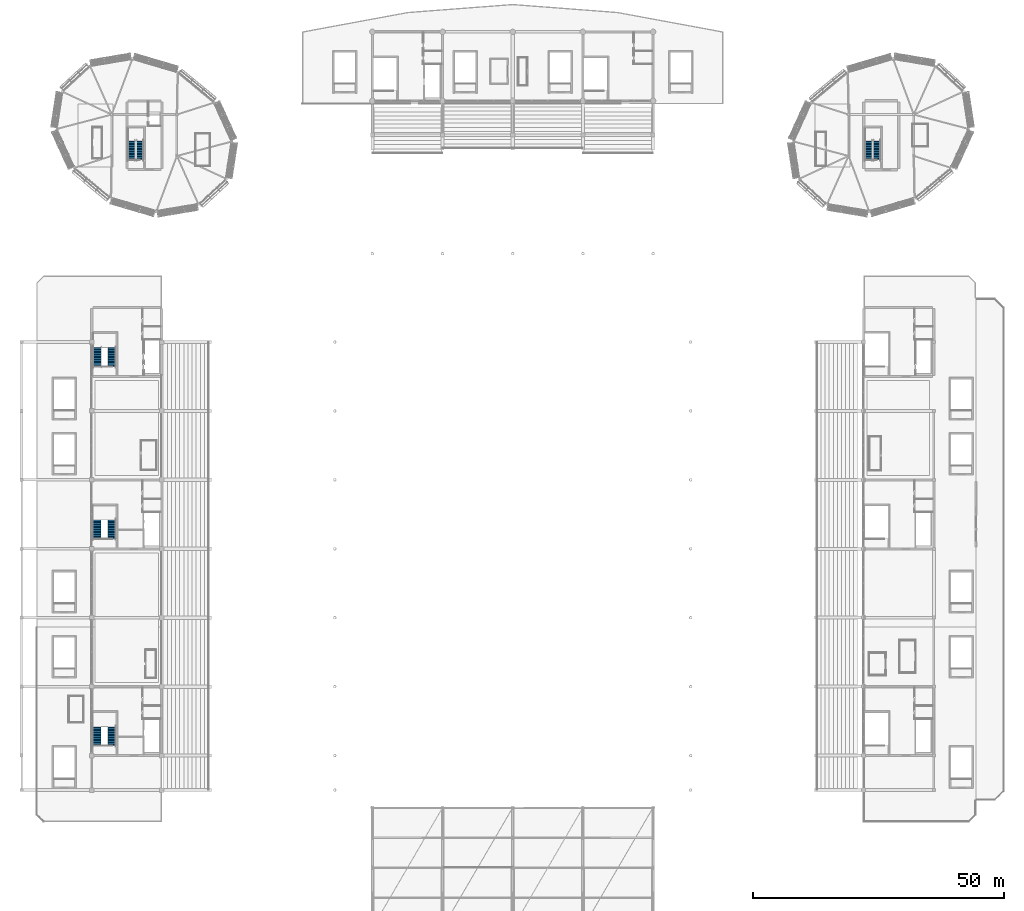
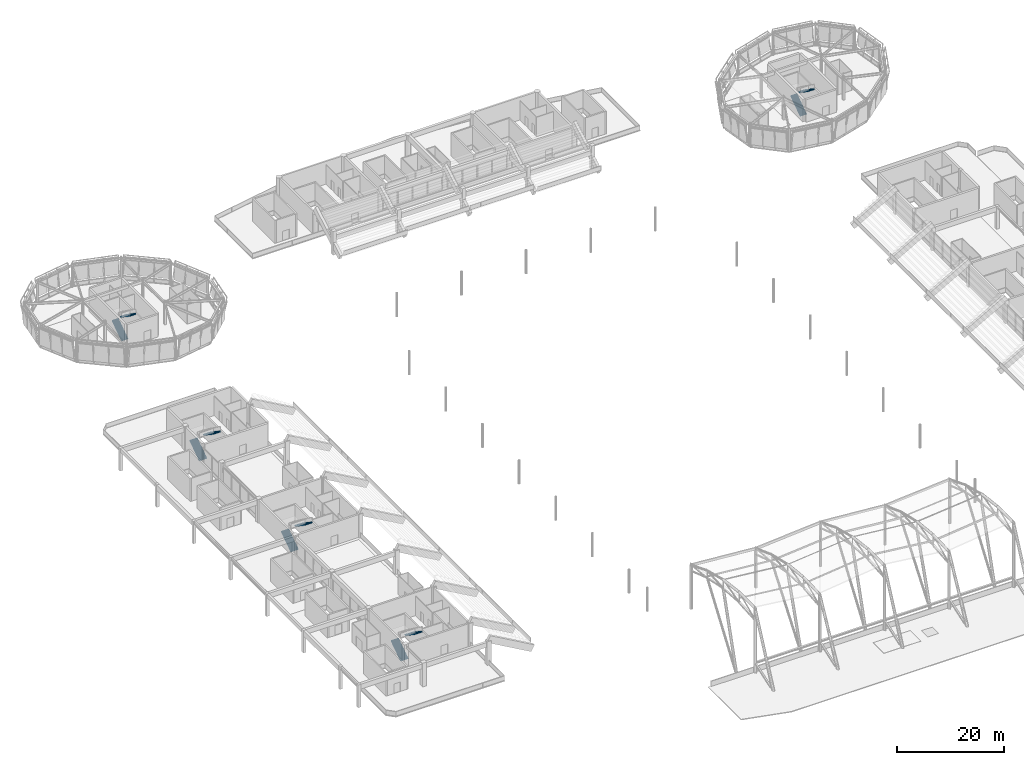
# One storey, part 79 of 90: 10 stair flights, 5 elements without a shape of their own.
"""IFC4 building model written with IfcOpenShell, lengths in metres."""

import ifcopenshell
import ifcopenshell.guid

model = None  # the IFC model being written
_history = None  # IfcOwnerHistory: only IFC2X3 demands one
_inside = {}  # id of a spatial element -> (the spatial element, [elements in it])
_under = {}  # id of a project, library or spatial element -> (it, [spatial elements below it])
_declared = {}  # id of a project -> (the project, [libraries it declares])
_typed = {}  # id of a type object -> (the type object, [elements of that type])
_made_of = {}  # id of a material, layer set ... -> (it, [elements and type objects made of it])


def new_model(schema):
    """Start an empty IFC model of exactly this schema.

    Asked for "IFC4X3", IfcOpenShell would pick the latest addendum, in which some entities
    have other attributes; the version numbers below select the first issue.
    IFC2X3 requires an IfcOwnerHistory on every rooted entity: one is made here for all.
    """
    global model, _history
    if schema == "IFC4X3":
        model = ifcopenshell.file(schema_version=(4, 3, 0, 0))
    else:
        model = ifcopenshell.file(schema=schema)
    _inside.clear()
    _under.clear()
    _declared.clear()
    _typed.clear()
    _made_of.clear()
    _history = None
    if model.schema == "IFC2X3":
        org = make("IfcOrganization", Name="unknown")
        user = make(
            "IfcPersonAndOrganization",
            ThePerson=make("IfcPerson", FamilyName="unknown"),
            TheOrganization=org,
        )
        app = make(
            "IfcApplication",
            ApplicationDeveloper=org,
            Version="unknown",
            ApplicationFullName="unknown",
            ApplicationIdentifier="unknown",
        )
        _history = make(
            "IfcOwnerHistory",
            OwningUser=user,
            OwningApplication=app,
            ChangeAction="ADDED",
            CreationDate=0,
        )
    return model


def make(cls, **values):
    """One entity of the class cls with the attributes given. An attribute that is None is left unset."""
    return model.create_entity(
        cls, **{name: value for name, value in values.items() if value is not None}
    )


def rooted(cls, **values):
    """An entity with a GlobalId (a new one), such as an element, a storey or a relation."""
    return make(cls, GlobalId=ifcopenshell.guid.new(), OwnerHistory=_history, **values)


def si_unit(unit_type, name, prefix=None):
    """IfcSIUnit, for example si_unit("LENGTHUNIT", "METRE", prefix="MILLI")."""
    return make("IfcSIUnit", UnitType=unit_type, Prefix=prefix, Name=name)


def assignment(units):
    """IfcUnitAssignment: the units of a project."""
    return None if units is None else make("IfcUnitAssignment", Units=units)


def point(xyz):
    """IfcCartesianPoint."""
    return None if xyz is None else make("IfcCartesianPoint", Coordinates=xyz)


def direction(xyz):
    """IfcDirection."""
    return None if xyz is None else make("IfcDirection", DirectionRatios=xyz)


def frame(location, z_axis=None, x_axis=None):
    """IfcAxis2Placement3D, a coordinate frame: its origin and axes. An axis left out is left unset."""
    return make(
        "IfcAxis2Placement3D",
        Location=point(location),
        Axis=direction(z_axis),
        RefDirection=direction(x_axis),
    )


def origin():
    """The frame at (0, 0, 0) with its axes left unset."""
    return frame((0.0, 0.0, 0.0))


def place(relative_to, where):
    """IfcLocalPlacement: puts the frame where relative to a parent placement (None: the world)."""
    return make(
        "IfcLocalPlacement", PlacementRelTo=relative_to, RelativePlacement=where
    )


def context(
    kind, dimensions, precision=None, world=None, true_north=None, identifier=None
):
    """IfcGeometricRepresentationContext, for example the 3D "Model" context."""
    return make(
        "IfcGeometricRepresentationContext",
        ContextIdentifier=identifier,
        ContextType=kind,
        CoordinateSpaceDimension=dimensions,
        Precision=precision,
        WorldCoordinateSystem=world,
        TrueNorth=true_north,
    )


def subcontext(parent, identifier, kind, view, scale=None):
    """IfcGeometricRepresentationSubContext, for example "Body" below "Model"."""
    return make(
        "IfcGeometricRepresentationSubContext",
        ContextIdentifier=identifier,
        ContextType=kind,
        ParentContext=parent,
        TargetScale=scale,
        TargetView=view,
    )


def project(units=None, contexts=None):
    """IfcProject with its units and contexts."""
    return rooted(
        "IfcProject",
        Name="project",
        RepresentationContexts=contexts,
        UnitsInContext=assignment(units),
    )


def spatial(cls, under=None, at=None, **own):
    """A site, building, storey or space (cls), placed at a placement, below another one or the project."""
    s = rooted(cls, ObjectPlacement=at, **own)
    if under is not None:
        _under.setdefault(under.id(), (under, []))[1].append(s)
    return s


def polyline(points):
    """IfcPolyline through the points."""
    return make("IfcPolyline", Points=[point(p) for p in points])


def outline(outer, holes=None, kind="AREA"):
    """IfcArbitraryClosedProfileDef: a profile drawn as a closed curve; with holes, ...WithVoids."""
    if holes is None:
        return make("IfcArbitraryClosedProfileDef", ProfileType=kind, OuterCurve=outer)
    return make(
        "IfcArbitraryProfileDefWithVoids",
        ProfileType=kind,
        OuterCurve=outer,
        InnerCurves=holes,
    )


def extrude(swept, where, along, depth):
    """IfcExtrudedAreaSolid: the profile swept, set in the frame where, extruded along a direction by depth."""
    return make(
        "IfcExtrudedAreaSolid",
        SweptArea=swept,
        Position=where,
        ExtrudedDirection=direction(along),
        Depth=depth,
    )


def shape(context_of_items, identifier, shape_type, items):
    """IfcShapeRepresentation: the items that make up one representation, for example the "Body"."""
    return make(
        "IfcShapeRepresentation",
        ContextOfItems=context_of_items,
        RepresentationIdentifier=identifier,
        RepresentationType=shape_type,
        Items=items,
    )


def material(Name=None, Category=None):
    """IfcMaterial."""
    return make("IfcMaterial", Name=Name, Category=Category)


def made_of(thing, what):
    """Note that an element or type object is made of a material, layer set ...; save() writes the relation."""
    if what is not None:
        _made_of.setdefault(what.id(), (what, []))[1].append(thing)
    return thing


def type_object(cls, material=None, **own):
    """A type object (cls), such as IfcWallType, which elements share."""
    return made_of(rooted(cls, **own), material)


def element(
    cls,
    number,
    at=None,
    inside=None,
    cuts=None,
    type_object=None,
    material=None,
    context=None,
    identifier="Body",
    shape_type=None,
    held_by="IfcProductDefinitionShape",
    body=None,
    shapes=None,
    **own,
):
    """One element of the class cls, such as IfcWall. Its Tag is "e" and its number.

    at: its placement. inside: the storey or other place that contains it. cuts: it is an
    opening in that element (IfcRelVoidsElement). A single representation is given by context,
    identifier, shape_type and body (its items); several are given by shapes. held_by: the class
    of the entity that holds the representations. save() writes the other relations.
    """
    e = rooted(cls, Tag="e%d" % number, ObjectPlacement=at, **own)
    if body is not None:
        shapes = [shape(context, identifier, shape_type, body)]
    if shapes is not None:
        e.Representation = make(held_by, Representations=shapes)
    if inside is not None:
        _inside.setdefault(inside.id(), (inside, []))[1].append(e)
    if cuts is not None:
        rooted(
            "IfcRelVoidsElement", RelatingBuildingElement=cuts, RelatedOpeningElement=e
        )
    if type_object is not None:
        _typed.setdefault(type_object.id(), (type_object, []))[1].append(e)
    return made_of(e, material)


def aggregate(whole, parts):
    """IfcRelAggregates: a whole, such as a stair, and the parts it consists of."""
    return rooted("IfcRelAggregates", RelatingObject=whole, RelatedObjects=parts)


def save(model, path):
    """Write the relations noted so far, then the file.

    IfcRelAggregates (storeys below a building ...), IfcRelContainedInSpatialStructure (elements
    in a storey), IfcRelDefinesByType, IfcRelAssociatesMaterial and IfcRelDeclares: one each for
    every whole, place, type object, material and project.
    """
    for whole, parts in _under.values():
        aggregate(whole, parts)
    for where, things in _inside.values():
        rooted(
            "IfcRelContainedInSpatialStructure",
            RelatedElements=things,
            RelatingStructure=where,
        )
    for kind, things in _typed.values():
        rooted("IfcRelDefinesByType", RelatedObjects=things, RelatingType=kind)
    for what, things in _made_of.values():
        rooted("IfcRelAssociatesMaterial", RelatedObjects=things, RelatingMaterial=what)
    for by, libraries in _declared.values():
        rooted("IfcRelDeclares", RelatingContext=by, RelatedDefinitions=libraries)
    model.write(path)


model = new_model("IFC4")

# Units and contexts
model_context = context("Model", 3, precision=1e-05, world=origin(), true_north=direction((0.0, 1.0)))
body_context = subcontext(model_context, "Body", "Model", "MODEL_VIEW")
ifc_project = project(units=[si_unit("LENGTHUNIT", "METRE"), si_unit("AREAUNIT", "SQUARE_METRE"), si_unit("VOLUMEUNIT", "CUBIC_METRE"), si_unit("PLANEANGLEUNIT", "RADIAN"), si_unit("MASSUNIT", "GRAM", prefix="KILO")], contexts=[model_context])

# Site, building, storey
site_placement = place(None, origin())
site = spatial("IfcSite", under=ifc_project, at=site_placement, CompositionType="ELEMENT")
building_placement = place(site_placement, origin())
building = spatial("IfcBuilding", under=site, at=building_placement, Name="Linyun Crest Stadium", CompositionType="ELEMENT")
storey_placement = place(building_placement, frame((0.0, 0.0, 21.0)))
storey = spatial("IfcBuildingStorey", under=building, at=storey_placement, Name="L05", CompositionType="ELEMENT", Elevation=21.0)

# Stair, stair flights
ifc_material_1 = material(Name="Concrete C40", Category="concrete")
stair_type = type_object("IfcStairType", Name="STA02", PredefinedType="HALF_TURN_STAIR", material=ifc_material_1)
stair_1_placement = place(storey_placement, origin())
stair_1 = element("IfcStair", 1, at=stair_1_placement, inside=storey, type_object=stair_type, Name="Evacuation stair STR-01-L05", PredefinedType="HALF_TURN_STAIR")
ifc_material_2 = material(Name="Concrete C40", Category="concrete")
stair_flight_type_1 = type_object("IfcStairFlightType", Name="STF01", PredefinedType="STRAIGHT", material=ifc_material_2)
stair_flight_1_placement = place(storey_placement, frame((-82.9599609375, -37.135009765625, 0.0), z_axis=(0.0, 0.0, 1.0), x_axis=(0.0, 1.0, 0.0)))
stair_flight_1 = element("IfcStairFlight", 2, at=stair_flight_1_placement, type_object=stair_flight_type_1, Name="STR-01-L05 flight 1", NumberOfRisers=16, NumberOfTreads=15, PredefinedType="STRAIGHT", RiserHeight=0.16875, TreadLength=0.25, context=body_context, shape_type="SweptSolid", body=[
    extrude(outline(polyline([(0.0, 0.0), (0.0, 0.168701171875), (0.25, 0.168701171875), (0.25, 0.33740234375), (0.5, 0.33740234375), (0.5, 0.50634765625), (0.75, 0.50634765625), (0.75, 0.675048828125), (1.0, 0.675048828125), (1.0, 0.84375), (1.25, 0.84375), (1.25, 1.012451171875), (1.5, 1.012451171875), (1.5, 1.18115234375), (1.75, 1.18115234375), (1.75, 1.35009765625), (2.0, 1.35009765625), (2.0, 1.518798828125), (2.25, 1.518798828125), (2.25, 1.6875), (2.5, 1.6875), (2.5, 1.856201171875), (2.75, 1.856201171875), (2.75, 2.02490234375), (3.0, 2.02490234375), (3.0, 2.19384765625), (3.25, 2.19384765625), (3.25, 2.362548828125), (3.5, 2.362548828125), (3.5, 2.53125), (3.75, 2.53125), (3.75, 2.699951171875), (3.75, 2.314208984375), (0.321533203125, 0.0), (0.0, 0.0)])), frame((0.0, 0.824951171875, 0.0), z_axis=(0.0, -1.0, 0.0), x_axis=(1.0, 0.0, 0.0)), (0.0, 0.0, 1.0), 1.64990234375),
])
stair_flight_2_placement = place(storey_placement, frame((-79.965087890625, -33.385009765625, 2.699951171875), z_axis=(0.0, 0.0, 1.0), x_axis=(0.0, -1.0, 0.0)))
stair_flight_2 = element("IfcStairFlight", 3, at=stair_flight_2_placement, type_object=stair_flight_type_1, Name="STR-01-L05 flight 2", NumberOfRisers=16, NumberOfTreads=15, PredefinedType="STRAIGHT", RiserHeight=0.16875, TreadLength=0.25, context=body_context, shape_type="SweptSolid", body=[
    extrude(outline(polyline([(0.0, 0.0), (0.0, 0.168701171875), (0.25, 0.168701171875), (0.25, 0.33740234375), (0.5, 0.33740234375), (0.5, 0.50634765625), (0.75, 0.50634765625), (0.75, 0.675048828125), (1.0, 0.675048828125), (1.0, 0.84375), (1.25, 0.84375), (1.25, 1.012451171875), (1.5, 1.012451171875), (1.5, 1.18115234375), (1.75, 1.18115234375), (1.75, 1.35009765625), (2.0, 1.35009765625), (2.0, 1.518798828125), (2.25, 1.518798828125), (2.25, 1.6875), (2.5, 1.6875), (2.5, 1.856201171875), (2.75, 1.856201171875), (2.75, 2.02490234375), (3.0, 2.02490234375), (3.0, 2.19384765625), (3.25, 2.19384765625), (3.25, 2.362548828125), (3.5, 2.362548828125), (3.5, 2.53125), (3.75, 2.53125), (3.75, 2.699951171875), (3.75, 2.314208984375), (0.321533203125, 0.0), (0.0, 0.0)])), frame((0.0, 0.824951171875, 0.0), z_axis=(0.0, -1.0, 0.0), x_axis=(1.0, 0.0, 0.0)), (0.0, 0.0, 1.0), 1.64990234375),
])
aggregate(stair_1, [stair_flight_1, stair_flight_2])

stair_2_placement = place(storey_placement, origin())
stair_2 = element("IfcStair", 4, at=stair_2_placement, inside=storey, type_object=stair_type, Name="Evacuation stair STR-02-L05", PredefinedType="HALF_TURN_STAIR")
stair_flight_3_placement = place(storey_placement, frame((-82.93505859375, 4.114990234375, 0.0), z_axis=(0.0, 0.0, 1.0), x_axis=(0.0, 1.0, 0.0)))
stair_flight_3 = element("IfcStairFlight", 5, at=stair_flight_3_placement, type_object=stair_flight_type_1, Name="STR-02-L05 flight 1", NumberOfRisers=16, NumberOfTreads=15, PredefinedType="STRAIGHT", RiserHeight=0.16875, TreadLength=0.25, context=body_context, shape_type="SweptSolid", body=[
    extrude(outline(polyline([(0.0, 0.0), (0.0, 0.168701171875), (0.25, 0.168701171875), (0.25, 0.33740234375), (0.5, 0.33740234375), (0.5, 0.50634765625), (0.75, 0.50634765625), (0.75, 0.675048828125), (1.0, 0.675048828125), (1.0, 0.84375), (1.25, 0.84375), (1.25, 1.012451171875), (1.5, 1.012451171875), (1.5, 1.18115234375), (1.75, 1.18115234375), (1.75, 1.35009765625), (2.0, 1.35009765625), (2.0, 1.518798828125), (2.25, 1.518798828125), (2.25, 1.6875), (2.5, 1.6875), (2.5, 1.856201171875), (2.75, 1.856201171875), (2.75, 2.02490234375), (3.0, 2.02490234375), (3.0, 2.19384765625), (3.25, 2.19384765625), (3.25, 2.362548828125), (3.5, 2.362548828125), (3.5, 2.53125), (3.75, 2.53125), (3.75, 2.699951171875), (3.75, 2.314208984375), (0.321533203125, 0.0), (0.0, 0.0)])), frame((0.0, 0.824951171875, 0.0), z_axis=(0.0, -1.0, 0.0), x_axis=(1.0, 0.0, 0.0)), (0.0, 0.0, 1.0), 1.64990234375),
])
stair_flight_4_placement = place(storey_placement, frame((-79.965087890625, 7.864990234375, 2.699951171875), z_axis=(0.0, 0.0, 1.0), x_axis=(0.0, -1.0, 0.0)))
stair_flight_4 = element("IfcStairFlight", 6, at=stair_flight_4_placement, type_object=stair_flight_type_1, Name="STR-02-L05 flight 2", NumberOfRisers=16, NumberOfTreads=15, PredefinedType="STRAIGHT", RiserHeight=0.16875, TreadLength=0.25, context=body_context, shape_type="SweptSolid", body=[
    extrude(outline(polyline([(0.0, 0.0), (0.0, 0.168701171875), (0.25, 0.168701171875), (0.25, 0.33740234375), (0.5, 0.33740234375), (0.5, 0.50634765625), (0.75, 0.50634765625), (0.75, 0.675048828125), (1.0, 0.675048828125), (1.0, 0.84375), (1.25, 0.84375), (1.25, 1.012451171875), (1.5, 1.012451171875), (1.5, 1.18115234375), (1.75, 1.18115234375), (1.75, 1.35009765625), (2.0, 1.35009765625), (2.0, 1.518798828125), (2.25, 1.518798828125), (2.25, 1.6875), (2.5, 1.6875), (2.5, 1.856201171875), (2.75, 1.856201171875), (2.75, 2.02490234375), (3.0, 2.02490234375), (3.0, 2.19384765625), (3.25, 2.19384765625), (3.25, 2.362548828125), (3.5, 2.362548828125), (3.5, 2.53125), (3.75, 2.53125), (3.75, 2.699951171875), (3.75, 2.314208984375), (0.321533203125, 0.0), (0.0, 0.0)])), frame((0.0, 0.824951171875, 0.0), z_axis=(0.0, -1.0, 0.0), x_axis=(1.0, 0.0, 0.0)), (0.0, 0.0, 1.0), 1.64990234375),
])
aggregate(stair_2, [stair_flight_3, stair_flight_4])

stair_3_placement = place(storey_placement, origin())
stair_3 = element("IfcStair", 7, at=stair_3_placement, inside=storey, type_object=stair_type, Name="Evacuation stair STR-03-L05", PredefinedType="HALF_TURN_STAIR")
stair_flight_5_placement = place(storey_placement, frame((-82.909912109375, 38.489990234375, 0.0), z_axis=(0.0, 0.0, 1.0), x_axis=(0.0, 1.0, 0.0)))
stair_flight_5 = element("IfcStairFlight", 8, at=stair_flight_5_placement, type_object=stair_flight_type_1, Name="STR-03-L05 flight 1", NumberOfRisers=16, NumberOfTreads=15, PredefinedType="STRAIGHT", RiserHeight=0.16875, TreadLength=0.25, context=body_context, shape_type="SweptSolid", body=[
    extrude(outline(polyline([(0.0, 0.0), (0.0, 0.168701171875), (0.25, 0.168701171875), (0.25, 0.33740234375), (0.5, 0.33740234375), (0.5, 0.50634765625), (0.75, 0.50634765625), (0.75, 0.675048828125), (1.0, 0.675048828125), (1.0, 0.84375), (1.25, 0.84375), (1.25, 1.012451171875), (1.5, 1.012451171875), (1.5, 1.18115234375), (1.75, 1.18115234375), (1.75, 1.35009765625), (2.0, 1.35009765625), (2.0, 1.518798828125), (2.25, 1.518798828125), (2.25, 1.6875), (2.5, 1.6875), (2.5, 1.856201171875), (2.75, 1.856201171875), (2.75, 2.02490234375), (3.0, 2.02490234375), (3.0, 2.19384765625), (3.25, 2.19384765625), (3.25, 2.362548828125), (3.5, 2.362548828125), (3.5, 2.53125), (3.75, 2.53125), (3.75, 2.699951171875), (3.75, 2.314208984375), (0.321533203125, 0.0), (0.0, 0.0)])), frame((0.0, 0.824951171875, 0.0), z_axis=(0.0, -1.0, 0.0), x_axis=(1.0, 0.0, 0.0)), (0.0, 0.0, 1.0), 1.64990234375),
])
stair_flight_6_placement = place(storey_placement, frame((-79.965087890625, 42.239990234375, 2.699951171875), z_axis=(0.0, 0.0, 1.0), x_axis=(0.0, -1.0, 0.0)))
stair_flight_6 = element("IfcStairFlight", 9, at=stair_flight_6_placement, type_object=stair_flight_type_1, Name="STR-03-L05 flight 2", NumberOfRisers=16, NumberOfTreads=15, PredefinedType="STRAIGHT", RiserHeight=0.16875, TreadLength=0.25, context=body_context, shape_type="SweptSolid", body=[
    extrude(outline(polyline([(0.0, 0.0), (0.0, 0.168701171875), (0.25, 0.168701171875), (0.25, 0.33740234375), (0.5, 0.33740234375), (0.5, 0.50634765625), (0.75, 0.50634765625), (0.75, 0.675048828125), (1.0, 0.675048828125), (1.0, 0.84375), (1.25, 0.84375), (1.25, 1.012451171875), (1.5, 1.012451171875), (1.5, 1.18115234375), (1.75, 1.18115234375), (1.75, 1.35009765625), (2.0, 1.35009765625), (2.0, 1.518798828125), (2.25, 1.518798828125), (2.25, 1.6875), (2.5, 1.6875), (2.5, 1.856201171875), (2.75, 1.856201171875), (2.75, 2.02490234375), (3.0, 2.02490234375), (3.0, 2.19384765625), (3.25, 2.19384765625), (3.25, 2.362548828125), (3.5, 2.362548828125), (3.5, 2.53125), (3.75, 2.53125), (3.75, 2.699951171875), (3.75, 2.314208984375), (0.321533203125, 0.0), (0.0, 0.0)])), frame((0.0, 0.824951171875, 0.0), z_axis=(0.0, -1.0, 0.0), x_axis=(1.0, 0.0, 0.0)), (0.0, 0.0, 1.0), 1.64990234375),
])
aggregate(stair_3, [stair_flight_5, stair_flight_6])

stair_4_placement = place(storey_placement, origin())
stair_4 = element("IfcStair", 10, at=stair_4_placement, inside=storey, type_object=stair_type, Name="Evacuation stair STR-11-L05", PredefinedType="HALF_TURN_STAIR")
ifc_material_3 = material(Name="Concrete C40", Category="concrete")
stair_flight_type_2 = type_object("IfcStairFlightType", Name="STF03", PredefinedType="STRAIGHT", material=ifc_material_3)
stair_flight_7_placement = place(storey_placement, frame((-76.06005859375, 79.739990234375, 0.0), z_axis=(0.0, 0.0, 1.0), x_axis=(0.0, 1.0, 0.0)))
stair_flight_7 = element("IfcStairFlight", 11, at=stair_flight_7_placement, type_object=stair_flight_type_2, Name="STR-11-L05 flight 1", NumberOfRisers=16, NumberOfTreads=15, PredefinedType="STRAIGHT", RiserHeight=0.16875, TreadLength=0.25, context=body_context, shape_type="SweptSolid", body=[
    extrude(outline(polyline([(0.0, 0.0), (0.0, 0.168701171875), (0.25, 0.168701171875), (0.25, 0.33740234375), (0.5, 0.33740234375), (0.5, 0.50634765625), (0.75, 0.50634765625), (0.75, 0.675048828125), (1.0, 0.675048828125), (1.0, 0.84375), (1.25, 0.84375), (1.25, 1.012451171875), (1.5, 1.012451171875), (1.5, 1.18115234375), (1.75, 1.18115234375), (1.75, 1.35009765625), (2.0, 1.35009765625), (2.0, 1.518798828125), (2.25, 1.518798828125), (2.25, 1.6875), (2.5, 1.6875), (2.5, 1.856201171875), (2.75, 1.856201171875), (2.75, 2.02490234375), (3.0, 2.02490234375), (3.0, 2.19384765625), (3.25, 2.19384765625), (3.25, 2.362548828125), (3.5, 2.362548828125), (3.5, 2.53125), (3.75, 2.53125), (3.75, 2.699951171875), (3.75, 2.326171875), (0.3037109375, 0.0), (0.0, 0.0)])), frame((0.0, 0.699951171875, 0.0), z_axis=(0.0, -1.0, 0.0), x_axis=(1.0, 0.0, 0.0)), (0.0, 0.0, 1.0), 1.39990234375),
])
stair_flight_8_placement = place(storey_placement, frame((-74.340087890625, 83.489990234375, 2.699951171875), z_axis=(0.0, 0.0, 1.0), x_axis=(0.0, -1.0, 0.0)))
stair_flight_8 = element("IfcStairFlight", 12, at=stair_flight_8_placement, type_object=stair_flight_type_2, Name="STR-11-L05 flight 2", NumberOfRisers=16, NumberOfTreads=15, PredefinedType="STRAIGHT", RiserHeight=0.16875, TreadLength=0.25, context=body_context, shape_type="SweptSolid", body=[
    extrude(outline(polyline([(0.0, 0.0), (0.0, 0.168701171875), (0.25, 0.168701171875), (0.25, 0.33740234375), (0.5, 0.33740234375), (0.5, 0.50634765625), (0.75, 0.50634765625), (0.75, 0.675048828125), (1.0, 0.675048828125), (1.0, 0.84375), (1.25, 0.84375), (1.25, 1.012451171875), (1.5, 1.012451171875), (1.5, 1.18115234375), (1.75, 1.18115234375), (1.75, 1.35009765625), (2.0, 1.35009765625), (2.0, 1.518798828125), (2.25, 1.518798828125), (2.25, 1.6875), (2.5, 1.6875), (2.5, 1.856201171875), (2.75, 1.856201171875), (2.75, 2.02490234375), (3.0, 2.02490234375), (3.0, 2.19384765625), (3.25, 2.19384765625), (3.25, 2.362548828125), (3.5, 2.362548828125), (3.5, 2.53125), (3.75, 2.53125), (3.75, 2.699951171875), (3.75, 2.326171875), (0.3037109375, 0.0), (0.0, 0.0)])), frame((0.0, 0.699951171875, 0.0), z_axis=(0.0, -1.0, 0.0), x_axis=(1.0, 0.0, 0.0)), (0.0, 0.0, 1.0), 1.39990234375),
])
aggregate(stair_4, [stair_flight_7, stair_flight_8])

stair_5_placement = place(storey_placement, origin())
stair_5 = element("IfcStair", 13, at=stair_5_placement, inside=storey, type_object=stair_type, Name="Evacuation stair STR-12-L05", PredefinedType="HALF_TURN_STAIR")
stair_flight_9_placement = place(storey_placement, frame((70.965087890625, 79.739990234375, 0.0), z_axis=(0.0, 0.0, 1.0), x_axis=(0.0, 1.0, 0.0)))
stair_flight_9 = element("IfcStairFlight", 14, at=stair_flight_9_placement, type_object=stair_flight_type_2, Name="STR-12-L05 flight 1", NumberOfRisers=16, NumberOfTreads=15, PredefinedType="STRAIGHT", RiserHeight=0.16875, TreadLength=0.25, context=body_context, shape_type="SweptSolid", body=[
    extrude(outline(polyline([(0.0, 0.0), (0.0, 0.168701171875), (0.25, 0.168701171875), (0.25, 0.33740234375), (0.5, 0.33740234375), (0.5, 0.50634765625), (0.75, 0.50634765625), (0.75, 0.675048828125), (1.0, 0.675048828125), (1.0, 0.84375), (1.25, 0.84375), (1.25, 1.012451171875), (1.5, 1.012451171875), (1.5, 1.18115234375), (1.75, 1.18115234375), (1.75, 1.35009765625), (2.0, 1.35009765625), (2.0, 1.518798828125), (2.25, 1.518798828125), (2.25, 1.6875), (2.5, 1.6875), (2.5, 1.856201171875), (2.75, 1.856201171875), (2.75, 2.02490234375), (3.0, 2.02490234375), (3.0, 2.19384765625), (3.25, 2.19384765625), (3.25, 2.362548828125), (3.5, 2.362548828125), (3.5, 2.53125), (3.75, 2.53125), (3.75, 2.699951171875), (3.75, 2.326171875), (0.3037109375, 0.0), (0.0, 0.0)])), frame((0.0, 0.699951171875, 0.0), z_axis=(0.0, -1.0, 0.0), x_axis=(1.0, 0.0, 0.0)), (0.0, 0.0, 1.0), 1.39990234375),
])
stair_flight_10_placement = place(storey_placement, frame((72.659912109375, 83.489990234375, 2.699951171875), z_axis=(0.0, 0.0, 1.0), x_axis=(0.0, -1.0, 0.0)))
stair_flight_10 = element("IfcStairFlight", 15, at=stair_flight_10_placement, type_object=stair_flight_type_2, Name="STR-12-L05 flight 2", NumberOfRisers=16, NumberOfTreads=15, PredefinedType="STRAIGHT", RiserHeight=0.16875, TreadLength=0.25, context=body_context, shape_type="SweptSolid", body=[
    extrude(outline(polyline([(0.0, 0.0), (0.0, 0.168701171875), (0.25, 0.168701171875), (0.25, 0.33740234375), (0.5, 0.33740234375), (0.5, 0.50634765625), (0.75, 0.50634765625), (0.75, 0.675048828125), (1.0, 0.675048828125), (1.0, 0.84375), (1.25, 0.84375), (1.25, 1.012451171875), (1.5, 1.012451171875), (1.5, 1.18115234375), (1.75, 1.18115234375), (1.75, 1.35009765625), (2.0, 1.35009765625), (2.0, 1.518798828125), (2.25, 1.518798828125), (2.25, 1.6875), (2.5, 1.6875), (2.5, 1.856201171875), (2.75, 1.856201171875), (2.75, 2.02490234375), (3.0, 2.02490234375), (3.0, 2.19384765625), (3.25, 2.19384765625), (3.25, 2.362548828125), (3.5, 2.362548828125), (3.5, 2.53125), (3.75, 2.53125), (3.75, 2.699951171875), (3.75, 2.326171875), (0.3037109375, 0.0), (0.0, 0.0)])), frame((0.0, 0.699951171875, 0.0), z_axis=(0.0, -1.0, 0.0), x_axis=(1.0, 0.0, 0.0)), (0.0, 0.0, 1.0), 1.39990234375),
])
aggregate(stair_5, [stair_flight_9, stair_flight_10])

save(model, "model.ifc")
